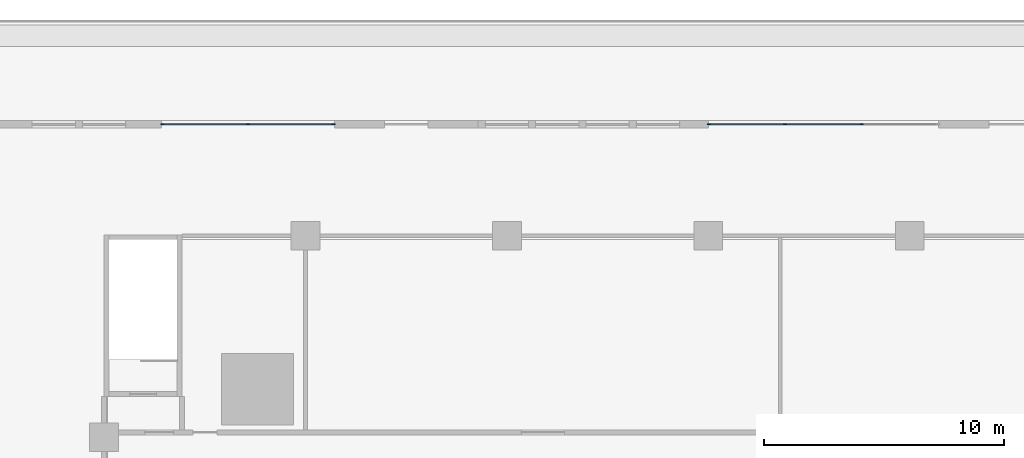
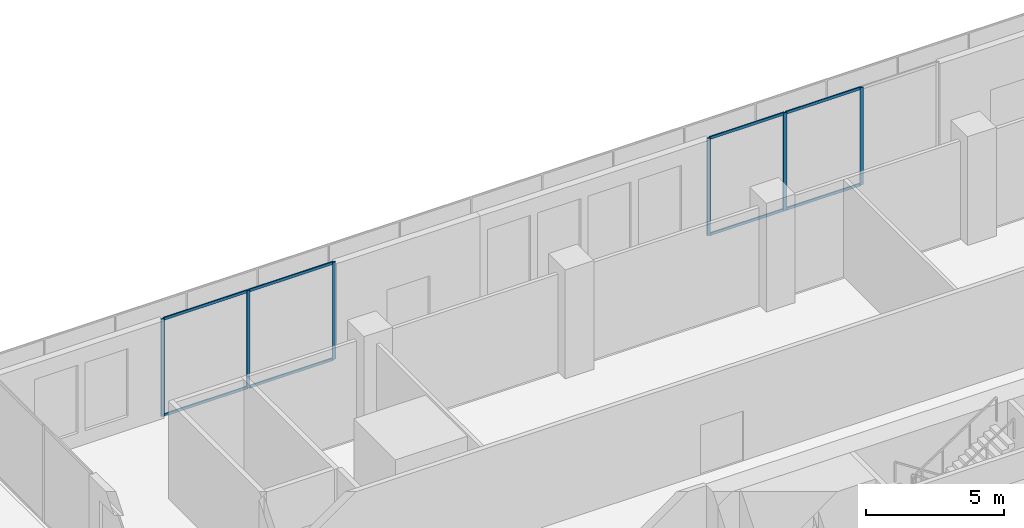
# One storey, part 9 of 22: 14 members, 2 elements without a shape of their own.
"""IFC4 building model written with IfcOpenShell, lengths in metres."""

from ifc_helpers import new_model, si_unit, direction, frame, origin, origin_2d, place, context, subcontext, project, spatial, rectangle, extrude, material, material_profile, profile_set, type_object, element, aggregate, save


model = new_model("IFC4")

# Units and contexts
model_context = context("Model", 3, precision=1e-05, world=origin(), true_north=direction((0.0, 1.0)))
body_context = subcontext(model_context, "Body", "Model", "MODEL_VIEW")
ifc_project = project(units=[si_unit("LENGTHUNIT", "METRE"), si_unit("AREAUNIT", "SQUARE_METRE"), si_unit("VOLUMEUNIT", "CUBIC_METRE"), si_unit("PLANEANGLEUNIT", "RADIAN"), si_unit("MASSUNIT", "GRAM", prefix="KILO")], contexts=[model_context])

# Site, building, storey
site_placement = place(None, origin())
site = spatial("IfcSite", under=ifc_project, at=site_placement, CompositionType="ELEMENT")
building_placement = place(site_placement, origin())
building = spatial("IfcBuilding", under=site, at=building_placement, Name="Khepri Terraces", CompositionType="ELEMENT")
storey_placement = place(building_placement, frame((0.0, 0.0, 22.199951171875)))
storey = spatial("IfcBuildingStorey", under=building, at=storey_placement, Name="L04", CompositionType="ELEMENT", Elevation=22.199951171875)

# Curtain wall, members
ifc_material_1 = material(Name="Anodised aluminium bronze curtain wall", Category="aluminium")
curtain_wall_type = type_object("IfcCurtainWallType", Name="CW-SYS6-LOUNGE", PredefinedType="NOTDEFINED", material=ifc_material_1)
curtain_wall_1_placement = place(storey_placement, origin())
curtain_wall_1 = element("IfcCurtainWall", 1, at=curtain_wall_1_placement, inside=storey, type_object=curtain_wall_type, Name="Curtain wall CW6 L04 N", PredefinedType="NOTDEFINED")
ifc_material_2 = material(Name="Anodised aluminium bronze", Category="aluminium")
ifc_material_profile_1 = material_profile(ifc_material_2, rectangle(XDim=0.050048828125, YDim=0.139892578125, at=origin_2d()), Name="Anodised aluminium bronze", Category="aluminium")
ifc_profile_set_1 = profile_set([ifc_material_profile_1], Name="Anodised aluminium bronze")
member_type_1 = type_object("IfcMemberType", Name="CW-MULLION-50x140", PredefinedType="MULLION", material=ifc_profile_set_1)
member_1_placement = place(storey_placement, frame((6.39990234375, 29.85009765625, 0.0), z_axis=(0.0, 0.0, 1.0), x_axis=(0.0, -1.0, 0.0)))
member_1 = element("IfcMember", 2, at=member_1_placement, type_object=member_type_1, Name="CW6 mullion 2", PredefinedType="MULLION", context=body_context, shape_type="SweptSolid", body=[
    extrude(rectangle(XDim=0.050048828125, YDim=0.139892578125, at=origin_2d()), origin(), (0.0, 0.0, 1.0), 4.300048828125),
])
member_2_placement = place(storey_placement, frame((3.199951171875, 29.85009765625, 0.0), z_axis=(0.0, 0.0, 1.0), x_axis=(0.0, -1.0, 0.0)))
member_2 = element("IfcMember", 3, at=member_2_placement, type_object=member_type_1, Name="CW6 mullion 3", PredefinedType="MULLION", context=body_context, shape_type="SweptSolid", body=[
    extrude(rectangle(XDim=0.050048828125, YDim=0.139892578125, at=origin_2d()), origin(), (0.0, 0.0, 1.0), 4.300048828125),
])
member_3_placement = place(storey_placement, frame((0.02490234375, 29.85009765625, 0.0), z_axis=(0.0, 0.0, 1.0), x_axis=(0.0, -1.0, 0.0)))
member_3 = element("IfcMember", 4, at=member_3_placement, type_object=member_type_1, Name="CW6 mullion 4", PredefinedType="MULLION", context=body_context, shape_type="SweptSolid", body=[
    extrude(rectangle(XDim=0.050048828125, YDim=0.139892578125, at=origin_2d()), origin(), (0.0, 0.0, 1.0), 4.300048828125),
])

curtain_wall_2_placement = place(storey_placement, origin())
curtain_wall_2 = element("IfcCurtainWall", 5, at=curtain_wall_2_placement, inside=storey, type_object=curtain_wall_type, Name="Curtain wall CW6 L04 N", PredefinedType="NOTDEFINED")
member_4_placement = place(storey_placement, frame((-15.625, 29.85009765625, 0.0), z_axis=(0.0, 0.0, 1.0), x_axis=(0.0, -1.0, 0.0)))
member_4 = element("IfcMember", 6, at=member_4_placement, type_object=member_type_1, Name="CW6 mullion 1", PredefinedType="MULLION", context=body_context, shape_type="SweptSolid", body=[
    extrude(rectangle(XDim=0.050048828125, YDim=0.139892578125, at=origin_2d()), origin(), (0.0, 0.0, 1.0), 4.300048828125),
])
member_5_placement = place(storey_placement, frame((-19.199951171875, 29.85009765625, 0.0), z_axis=(0.0, 0.0, 1.0), x_axis=(0.0, -1.0, 0.0)))
member_5 = element("IfcMember", 7, at=member_5_placement, type_object=member_type_1, Name="CW6 mullion 2", PredefinedType="MULLION", context=body_context, shape_type="SweptSolid", body=[
    extrude(rectangle(XDim=0.050048828125, YDim=0.139892578125, at=origin_2d()), origin(), (0.0, 0.0, 1.0), 4.300048828125),
])
member_6_placement = place(storey_placement, frame((-22.77490234375, 29.85009765625, 0.0), z_axis=(0.0, 0.0, 1.0), x_axis=(0.0, -1.0, 0.0)))
member_6 = element("IfcMember", 8, at=member_6_placement, type_object=member_type_1, Name="CW6 mullion 3", PredefinedType="MULLION", context=body_context, shape_type="SweptSolid", body=[
    extrude(rectangle(XDim=0.050048828125, YDim=0.139892578125, at=origin_2d()), origin(), (0.0, 0.0, 1.0), 4.300048828125),
])

# Member
ifc_material_profile_2 = material_profile(ifc_material_2, rectangle(XDim=0.050048828125, YDim=0.1201171875, at=origin_2d()), Name="Anodised aluminium bronze", Category="aluminium")
ifc_profile_set_2 = profile_set([ifc_material_profile_2], Name="Anodised aluminium bronze")
member_type_2 = type_object("IfcMemberType", Name="CW-TRANSOM-50x120", PredefinedType="USERDEFINED", material=ifc_profile_set_2)
member_7_placement = place(storey_placement, frame((6.375, 29.85009765625, 0.025146484375), z_axis=(-1.0, 0.0, 0.0), x_axis=(0.0, -1.0, 0.0)))
member_7 = element("IfcMember", 9, at=member_7_placement, type_object=member_type_2, Name="CW6 transom 2.1", ObjectType="TRANSOM", PredefinedType="USERDEFINED", context=body_context, shape_type="SweptSolid", body=[
    extrude(rectangle(XDim=0.050048828125, YDim=0.1201171875, at=origin_2d()), origin(), (0.0, 0.0, 1.0), 3.14990234375),
])

member_8_placement = place(storey_placement, frame((6.375, 29.85009765625, 4.275146484375), z_axis=(-1.0, 0.0, 0.0), x_axis=(0.0, -1.0, 0.0)))
member_8 = element("IfcMember", 10, at=member_8_placement, type_object=member_type_2, Name="CW6 transom 2.2", ObjectType="TRANSOM", PredefinedType="USERDEFINED", context=body_context, shape_type="SweptSolid", body=[
    extrude(rectangle(XDim=0.050048828125, YDim=0.1201171875, at=origin_2d()), origin(), (0.0, 0.0, 1.0), 3.14990234375),
])

member_9_placement = place(storey_placement, frame((3.175048828125, 29.85009765625, 0.025146484375), z_axis=(-1.0, 0.0, 0.0), x_axis=(0.0, -1.0, 0.0)))
member_9 = element("IfcMember", 11, at=member_9_placement, type_object=member_type_2, Name="CW6 transom 3.1", ObjectType="TRANSOM", PredefinedType="USERDEFINED", context=body_context, shape_type="SweptSolid", body=[
    extrude(rectangle(XDim=0.050048828125, YDim=0.1201171875, at=origin_2d()), origin(), (0.0, 0.0, 1.0), 3.125),
])

member_10_placement = place(storey_placement, frame((3.175048828125, 29.85009765625, 4.275146484375), z_axis=(-1.0, 0.0, 0.0), x_axis=(0.0, -1.0, 0.0)))
member_10 = element("IfcMember", 12, at=member_10_placement, type_object=member_type_2, Name="CW6 transom 3.2", ObjectType="TRANSOM", PredefinedType="USERDEFINED", context=body_context, shape_type="SweptSolid", body=[
    extrude(rectangle(XDim=0.050048828125, YDim=0.1201171875, at=origin_2d()), origin(), (0.0, 0.0, 1.0), 3.125),
])

aggregate(curtain_wall_1, [member_1, member_2, member_3, member_7, member_8, member_9, member_10])

member_11_placement = place(storey_placement, frame((-15.64990234375, 29.85009765625, 0.025146484375), z_axis=(-1.0, 0.0, 0.0), x_axis=(0.0, -1.0, 0.0)))
member_11 = element("IfcMember", 13, at=member_11_placement, type_object=member_type_2, Name="CW6 transom 1.1", ObjectType="TRANSOM", PredefinedType="USERDEFINED", context=body_context, shape_type="SweptSolid", body=[
    extrude(rectangle(XDim=0.050048828125, YDim=0.1201171875, at=origin_2d()), origin(), (0.0, 0.0, 1.0), 3.525146484375),
])

member_12_placement = place(storey_placement, frame((-15.64990234375, 29.85009765625, 4.275146484375), z_axis=(-1.0, 0.0, 0.0), x_axis=(0.0, -1.0, 0.0)))
member_12 = element("IfcMember", 14, at=member_12_placement, type_object=member_type_2, Name="CW6 transom 1.2", ObjectType="TRANSOM", PredefinedType="USERDEFINED", context=body_context, shape_type="SweptSolid", body=[
    extrude(rectangle(XDim=0.050048828125, YDim=0.1201171875, at=origin_2d()), origin(), (0.0, 0.0, 1.0), 3.525146484375),
])

member_13_placement = place(storey_placement, frame((-19.22509765625, 29.85009765625, 0.025146484375), z_axis=(-1.0, 0.0, 0.0), x_axis=(0.0, -1.0, 0.0)))
member_13 = element("IfcMember", 15, at=member_13_placement, type_object=member_type_2, Name="CW6 transom 2.1", ObjectType="TRANSOM", PredefinedType="USERDEFINED", context=body_context, shape_type="SweptSolid", body=[
    extrude(rectangle(XDim=0.050048828125, YDim=0.1201171875, at=origin_2d()), origin(), (0.0, 0.0, 1.0), 3.52490234375),
])

member_14_placement = place(storey_placement, frame((-19.22509765625, 29.85009765625, 4.275146484375), z_axis=(-1.0, 0.0, 0.0), x_axis=(0.0, -1.0, 0.0)))
member_14 = element("IfcMember", 16, at=member_14_placement, type_object=member_type_2, Name="CW6 transom 2.2", ObjectType="TRANSOM", PredefinedType="USERDEFINED", context=body_context, shape_type="SweptSolid", body=[
    extrude(rectangle(XDim=0.050048828125, YDim=0.1201171875, at=origin_2d()), origin(), (0.0, 0.0, 1.0), 3.52490234375),
])

aggregate(curtain_wall_2, [member_4, member_5, member_6, member_11, member_12, member_13, member_14])

save(model, "model.ifc")
